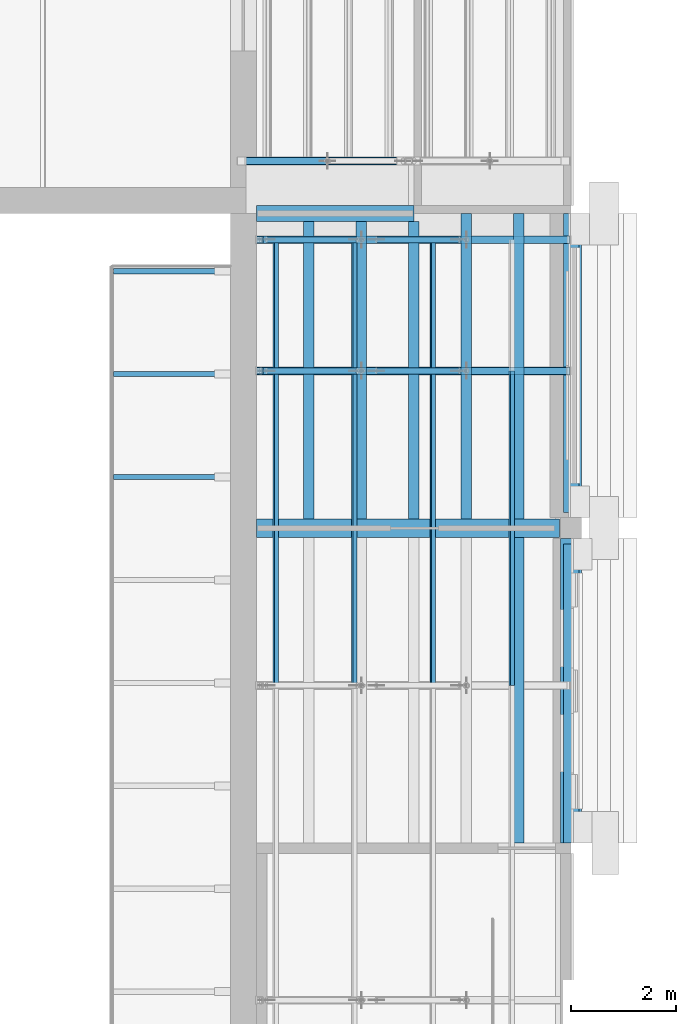
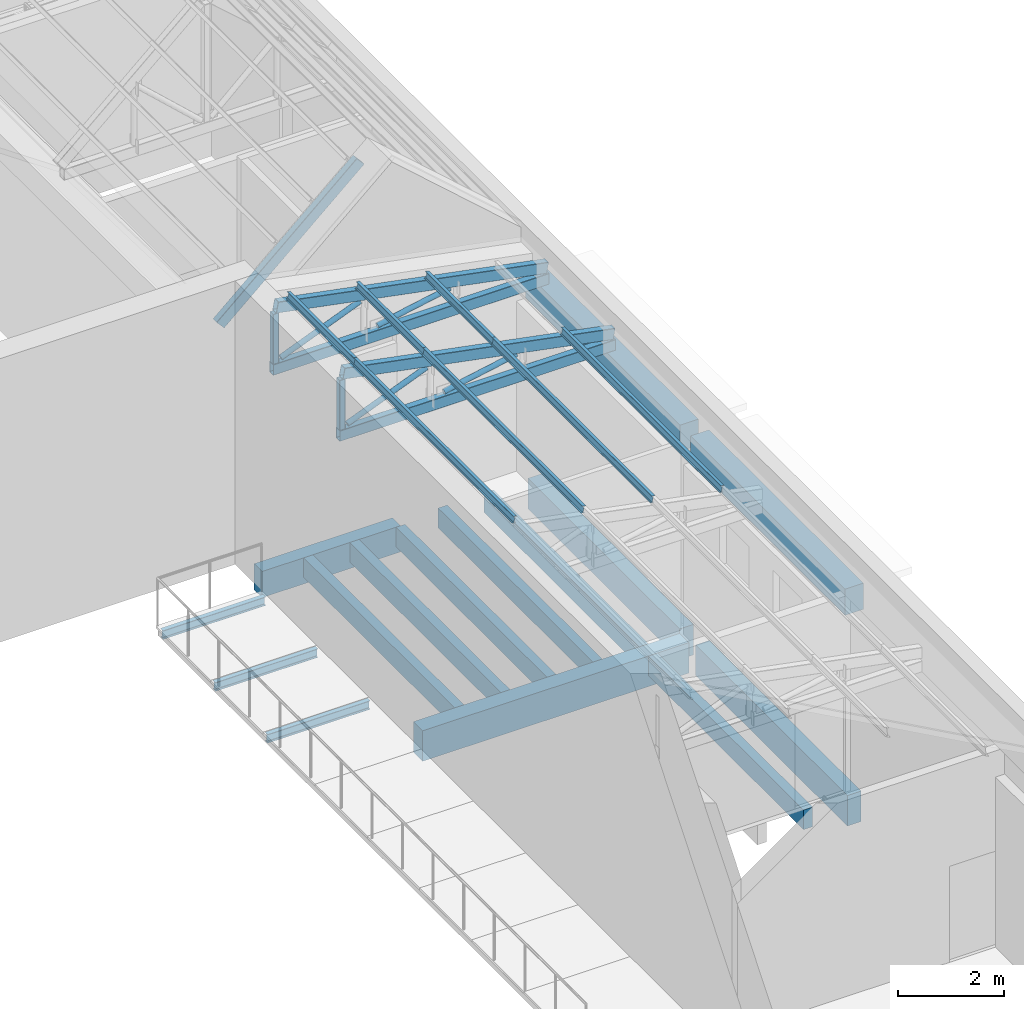
# One storey, part 32 of 118: 18 members, 15 beams.
"""IFC4 building model written with IfcOpenShell, lengths in metres."""

from ifc_helpers import new_model, si_unit, direction, frame, origin, origin_2d, place, context, subcontext, project, spatial, rectangle, hollow_rectangle, hollow_circle, i_section, extrude, material, material_profile, profile_set, type_object, element, save


model = new_model("IFC4")

# Units and contexts
model_context = context("Model", 3, precision=1e-05, world=origin(), true_north=direction((0.0, 1.0)))
body_context = subcontext(model_context, "Body", "Model", "MODEL_VIEW")
ifc_project = project(units=[si_unit("LENGTHUNIT", "METRE"), si_unit("AREAUNIT", "SQUARE_METRE"), si_unit("VOLUMEUNIT", "CUBIC_METRE"), si_unit("PLANEANGLEUNIT", "RADIAN"), si_unit("MASSUNIT", "GRAM", prefix="KILO")], contexts=[model_context])

# Site, building, storey
site_placement = place(None, origin())
site = spatial("IfcSite", under=ifc_project, at=site_placement, CompositionType="ELEMENT")
building_placement = place(site_placement, origin())
building = spatial("IfcBuilding", under=site, at=building_placement, Name="Saffron Lane Theatres", CompositionType="ELEMENT")
storey_placement = place(building_placement, frame((0.0, 0.0, 16.5)))
storey = spatial("IfcBuildingStorey", under=building, at=storey_placement, Name="L03", CompositionType="ELEMENT", Elevation=16.5)

# Beams
ifc_material_1 = material(Name="Concrete N40 (40 MPa)", Category="concrete")
ifc_material_profile_1 = material_profile(ifc_material_1, rectangle(XDim=0.300048828125, YDim=0.60009765625, at=origin_2d()))
ifc_profile_set_1 = profile_set([ifc_material_profile_1], Name="Concrete N40 (40 MPa)")
beam_type_1 = type_object("IfcBeamType", Name="RC-BEAM 300x600", PredefinedType="BEAM", material=ifc_profile_set_1)
beam_1_placement = place(storey_placement, frame((48.0, 54.0, -0.550048828125), z_axis=(1.0, 0.0, 0.0), x_axis=(0.0, 1.0, 0.0)))
element("IfcBeam", 1, at=beam_1_placement, inside=storey, type_object=beam_type_1, Name="beam-L03-x540-480", PredefinedType="BEAM", context=body_context, shape_type="SweptSolid", body=[
    extrude(rectangle(XDim=0.300048828125, YDim=0.60009765625, at=origin_2d()), origin(), (0.0, 0.0, 1.0), 3.0),
])
ifc_material_2 = material(Name="Concrete N40 (40 MPa)", Category="concrete")
ifc_material_profile_2 = material_profile(ifc_material_2, rectangle(XDim=0.300048828125, YDim=0.699951171875, at=origin_2d()))
ifc_profile_set_2 = profile_set([ifc_material_profile_2], Name="Concrete N40 (40 MPa)")
beam_type_2 = type_object("IfcBeamType", Name="RC-BEAM 300x700", PredefinedType="BEAM", material=ifc_profile_set_2)
for number, where, z_axis, x_axis, name in (
    (2, (54.0, 42.0, -0.60009765625), (0.0, 1.0, 0.0), (-1.0, 0.0, 0.0), "beam-L03-y540-420"),
    (3, (54.0, 48.300048828125, -0.60009765625), (0.0, 1.0, 0.0), (-1.0, 0.0, 0.0), "beam-L03-y540-483"),
):
    element("IfcBeam", number, at=place(storey_placement, frame(where, z_axis=z_axis, x_axis=x_axis)), inside=storey, type_object=beam_type_2, Name=name, PredefinedType="BEAM", context=body_context, shape_type="SweptSolid", body=[
        extrude(rectangle(XDim=0.300048828125, YDim=0.699951171875, at=origin_2d()), origin(), (0.0, 0.0, 1.0), 5.699951171875),
    ])
ifc_material_3 = material(Name="Concrete N40 (40 MPa)", Category="concrete")
ifc_material_profile_3 = material_profile(ifc_material_3, rectangle(XDim=0.35009765625, YDim=0.699951171875, at=origin_2d()))
ifc_profile_set_3 = profile_set([ifc_material_profile_3], Name="Concrete N40 (40 MPa)")
beam_type_3 = type_object("IfcBeamType", Name="RC-BEAM 350x700", PredefinedType="BEAM", material=ifc_profile_set_3)
beam_2_placement = place(storey_placement, frame((48.0, 48.0, -0.60009765625), z_axis=(1.0, 0.0, 0.0), x_axis=(0.0, 1.0, 0.0)))
element("IfcBeam", 4, at=beam_2_placement, inside=storey, type_object=beam_type_3, Name="beam-L03-x480-480", PredefinedType="BEAM", context=body_context, shape_type="SweptSolid", body=[
    extrude(rectangle(XDim=0.35009765625, YDim=0.699951171875, at=origin_2d()), origin(), (0.0, 0.0, 1.0), 5.77490234375),
])
ifc_material_4 = material(Name="Concrete N40 (40 MPa)", Category="concrete")
ifc_material_profile_4 = material_profile(ifc_material_4, rectangle(XDim=0.39990234375, YDim=0.60009765625, at=origin_2d()))
ifc_profile_set_4 = profile_set([ifc_material_profile_4], Name="Concrete N40 (40 MPa)")
beam_type_4 = type_object("IfcBeamType", Name="RC-BEAM 400x600", PredefinedType="BEAM", material=ifc_profile_set_4)
for number, where, z_axis, x_axis, name in (
    (5, (54.0, 42.0, 4.199951171875), (0.0, 1.0, 0.0), (-1.0, 0.0, 0.0), "beam-roof-side-y540-8"),
    (6, (54.0, 48.199951171875, 4.199951171875), (0.0, 1.0, 0.0), (-1.0, 0.0, 0.0), "beam-roof-side-y540-9"),
):
    element("IfcBeam", number, at=place(storey_placement, frame(where, z_axis=z_axis, x_axis=x_axis)), inside=storey, type_object=beam_type_4, Name=name, PredefinedType="BEAM", context=body_context, shape_type="SweptSolid", body=[
        extrude(rectangle(XDim=0.39990234375, YDim=0.60009765625, at=origin_2d()), origin(), (0.0, 0.0, 1.0), 5.800048828125),
    ])
ifc_material_5 = material(Name="Concrete N40 (40 MPa)", Category="concrete")
ifc_material_profile_5 = material_profile(ifc_material_5, rectangle(XDim=0.199951171875, YDim=0.449951171875, at=origin_2d()))
ifc_profile_set_5 = profile_set([ifc_material_profile_5], Name="Concrete N40 (40 MPa)")
beam_type_5 = type_object("IfcBeamType", Name="RC-JOIST 200x450", PredefinedType="JOIST", material=ifc_profile_set_5)
beam_3_placement = place(storey_placement, frame((53.0, 42.0, -0.47509765625), z_axis=(0.0, 1.0, 0.0), x_axis=(-1.0, 0.0, 0.0)))
element("IfcBeam", 7, at=beam_3_placement, inside=storey, type_object=beam_type_5, Name="joist-L03-y5300-420", PredefinedType="JOIST", context=body_context, shape_type="SweptSolid", body=[
    extrude(rectangle(XDim=0.199951171875, YDim=0.449951171875, at=origin_2d()), origin(), (0.0, 0.0, 1.0), 5.824951171875),
])
for number, where, z_axis, x_axis, name in (
    (8, (49.0, 48.175048828125, -0.47509765625), (0.0, 1.0, 0.0), (-1.0, 0.0, 0.0), "joist-L03-y4900-482"),
    (9, (50.0, 48.175048828125, -0.47509765625), (0.0, 1.0, 0.0), (-1.0, 0.0, 0.0), "joist-L03-y5000-482"),
    (10, (51.0, 48.175048828125, -0.47509765625), (0.0, 1.0, 0.0), (-1.0, 0.0, 0.0), "joist-L03-y5100-482"),
):
    element("IfcBeam", number, at=place(storey_placement, frame(where, z_axis=z_axis, x_axis=x_axis)), inside=storey, type_object=beam_type_5, Name=name, PredefinedType="JOIST", context=body_context, shape_type="SweptSolid", body=[
        extrude(rectangle(XDim=0.199951171875, YDim=0.449951171875, at=origin_2d()), origin(), (0.0, 0.0, 1.0), 5.675048828125),
    ])
for number, where, z_axis, x_axis, name in (
    (11, (52.0, 48.175048828125, -0.47509765625), (0.0, 1.0, 0.0), (-1.0, 0.0, 0.0), "joist-L03-y5200-482"),
    (12, (53.0, 48.175048828125, -0.47509765625), (0.0, 1.0, 0.0), (-1.0, 0.0, 0.0), "joist-L03-y5300-482"),
):
    element("IfcBeam", number, at=place(storey_placement, frame(where, z_axis=z_axis, x_axis=x_axis)), inside=storey, type_object=beam_type_5, Name=name, PredefinedType="JOIST", context=body_context, shape_type="SweptSolid", body=[
        extrude(rectangle(XDim=0.199951171875, YDim=0.449951171875, at=origin_2d()), origin(), (0.0, 0.0, 1.0), 5.824951171875),
    ])
ifc_material_6 = material(Name="Steel Grade 350", Category="steel")
ifc_material_profile_6 = material_profile(ifc_material_6, i_section(OverallWidth=0.09912109375, OverallDepth=0.197998046875, WebThickness=0.00439453125, FlangeThickness=0.007080078125, FilletRadius=0.010986328125, at=origin_2d()))
ifc_profile_set_6 = profile_set([ifc_material_profile_6], Name="Steel Grade 350")
beam_type_6 = type_object("IfcBeamType", Name="ST-GALLERY BEAM 200UB18.2", PredefinedType="BEAM", material=ifc_profile_set_6)
for number, where, z_axis, x_axis, name in (
    (13, (45.27490234375, 48.97509765625, -0.14892578125), (1.0, 0.0, 0.0), (0.0, 1.0, 0.0), "FBE16.5-8"),
    (14, (45.27490234375, 50.9375, -0.14892578125), (1.0, 0.0, 0.0), (0.0, 1.0, 0.0), "FBE16.5-9"),
    (15, (45.27490234375, 52.89990234375, -0.14892578125), (1.0, 0.0, 0.0), (0.0, 1.0, 0.0), "FBE16.5-10"),
):
    element("IfcBeam", number, at=place(storey_placement, frame(where, z_axis=z_axis, x_axis=x_axis)), inside=storey, type_object=beam_type_6, Name=name, PredefinedType="BEAM", context=body_context, shape_type="SweptSolid", body=[
        extrude(i_section(OverallWidth=0.09912109375, OverallDepth=0.197998046875, WebThickness=0.00439453125, FlangeThickness=0.007080078125, FilletRadius=0.010986328125, at=origin_2d()), origin(), (0.0, 0.0, 1.0), 2.22509765625),
    ])

# Members
ifc_material_7 = material(Name="Steel Grade 350", Category="steel")
ifc_material_profile_7 = material_profile(ifc_material_7, hollow_rectangle(XDim=0.125, YDim=0.125, WallThickness=0.006103515625, InnerFilletRadius=0.0029296875, OuterFilletRadius=0.009033203125, at=origin_2d()))
ifc_profile_set_7 = profile_set([ifc_material_profile_7], Name="Steel Grade 350")
member_type_1 = type_object("IfcMemberType", Name="ST-STUDIO POST 125x125x6 SHS", PredefinedType="POST", material=ifc_profile_set_7)
for number, where, z_axis, x_axis, name in (
    (16, (48.0625, 51.0, 4.75), (0.0, 0.0, 1.0), (1.0, 0.0, 0.0), "SB4-P31"),
    (17, (48.0625, 53.5, 4.75), (0.0, 0.0, 1.0), (1.0, 0.0, 0.0), "SB4-P38"),
):
    element("IfcMember", number, at=place(storey_placement, frame(where, z_axis=z_axis, x_axis=x_axis)), inside=storey, type_object=member_type_1, Name=name, PredefinedType="POST", context=body_context, shape_type="SweptSolid", body=[
        extrude(hollow_rectangle(XDim=0.125, YDim=0.125, WallThickness=0.006103515625, InnerFilletRadius=0.0029296875, OuterFilletRadius=0.009033203125, at=origin_2d()), origin(), (0.0, 0.0, 1.0), 1.140869140625),
    ])
ifc_material_8 = material(Name="Steel Grade 350", Category="steel")
ifc_material_profile_8 = material_profile(ifc_material_8, i_section(OverallWidth=0.074951171875, OverallDepth=0.155029296875, WebThickness=0.006103515625, FlangeThickness=0.009521484375, FilletRadius=0.008056640625, at=origin_2d()))
ifc_profile_set_8 = profile_set([ifc_material_profile_8], Name="Steel Grade 350")
member_type_2 = type_object("IfcMemberType", Name="ST-STUDIO PURLIN 150UB18.0", PredefinedType="PURLIN", material=ifc_profile_set_8)
for number, where, z_axis, x_axis, name in (
    (18, (52.862548828125, 45.0, 5.304443359375), (0.0, 1.0, 0.0), (-0.981660567439, 0.0, 0.190637169344), "SB4-U46"),
    (19, (51.362548828125, 45.0, 5.595947265625), (0.0, 1.0, 0.0), (-0.981660567439, 0.0, 0.190637169344), "SB4-U51"),
):
    element("IfcMember", number, at=place(storey_placement, frame(where, z_axis=z_axis, x_axis=x_axis)), inside=storey, type_object=member_type_2, Name=name, PredefinedType="PURLIN", context=body_context, shape_type="SweptSolid", body=[
        extrude(i_section(OverallWidth=0.074951171875, OverallDepth=0.155029296875, WebThickness=0.006103515625, FlangeThickness=0.009521484375, FilletRadius=0.008056640625, at=origin_2d()), origin(), (0.0, 0.0, 1.0), 6.0),
    ])
member_1_placement = place(storey_placement, frame((51.362548828125, 51.0, 5.595947265625), z_axis=(0.0, 1.0, 0.0), x_axis=(-0.981660567439, 0.0, 0.190637169344)))
element("IfcMember", 20, at=member_1_placement, inside=storey, type_object=member_type_2, Name="SB4-U52", PredefinedType="PURLIN", context=body_context, shape_type="SweptSolid", body=[
    extrude(i_section(OverallWidth=0.074951171875, OverallDepth=0.155029296875, WebThickness=0.006103515625, FlangeThickness=0.009521484375, FilletRadius=0.008056640625, at=origin_2d()), origin(), (0.0, 0.0, 1.0), 2.5),
])
member_2_placement = place(storey_placement, frame((49.862548828125, 45.0, 5.88720703125), z_axis=(0.0, 1.0, 0.0), x_axis=(-0.981660567439, 0.0, 0.190637169344)))
element("IfcMember", 21, at=member_2_placement, inside=storey, type_object=member_type_2, Name="SB4-U56", PredefinedType="PURLIN", context=body_context, shape_type="SweptSolid", body=[
    extrude(i_section(OverallWidth=0.074951171875, OverallDepth=0.155029296875, WebThickness=0.006103515625, FlangeThickness=0.009521484375, FilletRadius=0.008056640625, at=origin_2d()), origin(), (0.0, 0.0, 1.0), 6.0),
])
member_3_placement = place(storey_placement, frame((49.862548828125, 51.0, 5.88720703125), z_axis=(0.0, 1.0, 0.0), x_axis=(-0.981660567439, 0.0, 0.190637169344)))
element("IfcMember", 22, at=member_3_placement, inside=storey, type_object=member_type_2, Name="SB4-U57", PredefinedType="PURLIN", context=body_context, shape_type="SweptSolid", body=[
    extrude(i_section(OverallWidth=0.074951171875, OverallDepth=0.155029296875, WebThickness=0.006103515625, FlangeThickness=0.009521484375, FilletRadius=0.008056640625, at=origin_2d()), origin(), (0.0, 0.0, 1.0), 2.5),
])
member_4_placement = place(storey_placement, frame((48.362548828125, 45.0, 6.178466796875), z_axis=(0.0, 1.0, 0.0), x_axis=(-0.981660567439, 0.0, 0.190637169344)))
element("IfcMember", 23, at=member_4_placement, inside=storey, type_object=member_type_2, Name="SB4-U61", PredefinedType="PURLIN", context=body_context, shape_type="SweptSolid", body=[
    extrude(i_section(OverallWidth=0.074951171875, OverallDepth=0.155029296875, WebThickness=0.006103515625, FlangeThickness=0.009521484375, FilletRadius=0.008056640625, at=origin_2d()), origin(), (0.0, 0.0, 1.0), 6.0),
])
member_5_placement = place(storey_placement, frame((48.362548828125, 51.0, 6.178466796875), z_axis=(0.0, 1.0, 0.0), x_axis=(-0.981660567439, 0.0, 0.190637169344)))
element("IfcMember", 24, at=member_5_placement, inside=storey, type_object=member_type_2, Name="SB4-U62", PredefinedType="PURLIN", context=body_context, shape_type="SweptSolid", body=[
    extrude(i_section(OverallWidth=0.074951171875, OverallDepth=0.155029296875, WebThickness=0.006103515625, FlangeThickness=0.009521484375, FilletRadius=0.008056640625, at=origin_2d()), origin(), (0.0, 0.0, 1.0), 2.5),
])
ifc_material_9 = material(Name="Steel Grade 350", Category="steel")
ifc_material_profile_9 = material_profile(ifc_material_9, hollow_rectangle(XDim=0.14990234375, YDim=0.25, WallThickness=0.009033203125, InnerFilletRadius=0.00439453125, OuterFilletRadius=0.013427734375, at=origin_2d()))
ifc_profile_set_9 = profile_set([ifc_material_profile_9], Name="Steel Grade 350")
member_type_3 = type_object("IfcMemberType", Name="ST-STUDIO TRUSS CHORD 250x150x9 RHS", PredefinedType="CHORD", material=ifc_profile_set_9)
member_6_placement = place(storey_placement, frame((47.717041015625, 55.0, 4.843505859375), z_axis=(0.748261446236, 0.0, 0.663403955428), x_axis=(0.0, 1.0, 0.0)))
element("IfcMember", 25, at=member_6_placement, inside=storey, type_object=member_type_3, Name="SB2-C3", PredefinedType="CHORD", context=body_context, shape_type="SweptSolid", body=[
    extrude(hollow_rectangle(XDim=0.14990234375, YDim=0.25, WallThickness=0.009033203125, InnerFilletRadius=0.00439453125, OuterFilletRadius=0.013427734375, at=origin_2d()), origin(), (0.0, 0.0, 1.0), 4.0595703125),
])
member_7_placement = place(storey_placement, frame((53.97998046875, 51.0, 4.625), z_axis=(-1.0, 0.0, 0.0), x_axis=(0.0, -1.0, 0.0)))
element("IfcMember", 26, at=member_7_placement, inside=storey, type_object=member_type_3, Name="SB4-T29", PredefinedType="CHORD", context=body_context, shape_type="SweptSolid", body=[
    extrude(hollow_rectangle(XDim=0.14990234375, YDim=0.25, WallThickness=0.009033203125, InnerFilletRadius=0.00439453125, OuterFilletRadius=0.013427734375, at=origin_2d()), origin(), (0.0, 0.0, 1.0), 5.97998046875),
])
member_8_placement = place(storey_placement, frame((53.9462890625, 51.0, 4.8876953125), z_axis=(-0.981654109324, 0.0, 0.190670421534), x_axis=(0.0, -1.0, 0.0)))
element("IfcMember", 27, at=member_8_placement, inside=storey, type_object=member_type_3, Name="SB4-C30", PredefinedType="CHORD", context=body_context, shape_type="SweptSolid", body=[
    extrude(hollow_rectangle(XDim=0.14990234375, YDim=0.25, WallThickness=0.009033203125, InnerFilletRadius=0.00439453125, OuterFilletRadius=0.013427734375, at=origin_2d()), origin(), (0.0, 0.0, 1.0), 5.969482421875),
])
member_9_placement = place(storey_placement, frame((53.97998046875, 53.5, 4.625), z_axis=(-1.0, 0.0, 0.0), x_axis=(0.0, -1.0, 0.0)))
element("IfcMember", 28, at=member_9_placement, inside=storey, type_object=member_type_3, Name="SB4-T36", PredefinedType="CHORD", context=body_context, shape_type="SweptSolid", body=[
    extrude(hollow_rectangle(XDim=0.14990234375, YDim=0.25, WallThickness=0.009033203125, InnerFilletRadius=0.00439453125, OuterFilletRadius=0.013427734375, at=origin_2d()), origin(), (0.0, 0.0, 1.0), 5.97998046875),
])
member_10_placement = place(storey_placement, frame((53.9462890625, 53.5, 4.8876953125), z_axis=(-0.981654109324, 0.0, 0.190670421534), x_axis=(0.0, -1.0, 0.0)))
element("IfcMember", 29, at=member_10_placement, inside=storey, type_object=member_type_3, Name="SB4-C37", PredefinedType="CHORD", context=body_context, shape_type="SweptSolid", body=[
    extrude(hollow_rectangle(XDim=0.14990234375, YDim=0.25, WallThickness=0.009033203125, InnerFilletRadius=0.00439453125, OuterFilletRadius=0.013427734375, at=origin_2d()), origin(), (0.0, 0.0, 1.0), 5.969482421875),
])
ifc_material_10 = material(Name="Steel Grade 350", Category="steel")
ifc_material_profile_10 = material_profile(ifc_material_10, hollow_circle(Radius=0.05712890625, WallThickness=0.006103515625, at=origin_2d()))
ifc_profile_set_10 = profile_set([ifc_material_profile_10], Name="Steel Grade 350")
member_type_4 = type_object("IfcMemberType", Name="ST-STUDIO TRUSS WEB 114.3x6.0 CHS", PredefinedType="BRACE", material=ifc_profile_set_10)
member_11_placement = place(storey_placement, frame((48.19482421875, 51.0, 4.802978515625), z_axis=(0.928149794968, 0.0, 0.372206875409), x_axis=(0.0, 1.0, 0.0)))
element("IfcMember", 30, at=member_11_placement, inside=storey, type_object=member_type_4, Name="SB4-W34", PredefinedType="BRACE", context=body_context, shape_type="SweptSolid", body=[
    extrude(hollow_circle(Radius=0.05712890625, WallThickness=0.006103515625, at=origin_2d()), origin(), (0.0, 0.0, 1.0), 1.856201171875),
])
member_12_placement = place(storey_placement, frame((50.288818359375, 51.0, 4.80615234375), z_axis=(0.981678802594, 0.0, 0.190543245845), x_axis=(0.0, 1.0, 0.0)))
element("IfcMember", 31, at=member_12_placement, inside=storey, type_object=member_type_4, Name="SB4-W35", PredefinedType="BRACE", context=body_context, shape_type="SweptSolid", body=[
    extrude(hollow_circle(Radius=0.05712890625, WallThickness=0.006103515625, at=origin_2d()), origin(), (0.0, 0.0, 1.0), 1.6015625),
])
member_13_placement = place(storey_placement, frame((48.19482421875, 53.5, 4.802978515625), z_axis=(0.928149794968, 0.0, 0.372206875409), x_axis=(0.0, 1.0, 0.0)))
element("IfcMember", 32, at=member_13_placement, inside=storey, type_object=member_type_4, Name="SB4-W41", PredefinedType="BRACE", context=body_context, shape_type="SweptSolid", body=[
    extrude(hollow_circle(Radius=0.05712890625, WallThickness=0.006103515625, at=origin_2d()), origin(), (0.0, 0.0, 1.0), 1.856201171875),
])
member_14_placement = place(storey_placement, frame((50.288818359375, 53.5, 4.80615234375), z_axis=(0.981678802594, 0.0, 0.190543245845), x_axis=(0.0, 1.0, 0.0)))
element("IfcMember", 33, at=member_14_placement, inside=storey, type_object=member_type_4, Name="SB4-W42", PredefinedType="BRACE", context=body_context, shape_type="SweptSolid", body=[
    extrude(hollow_circle(Radius=0.05712890625, WallThickness=0.006103515625, at=origin_2d()), origin(), (0.0, 0.0, 1.0), 1.6015625),
])

save(model, "model.ifc")
